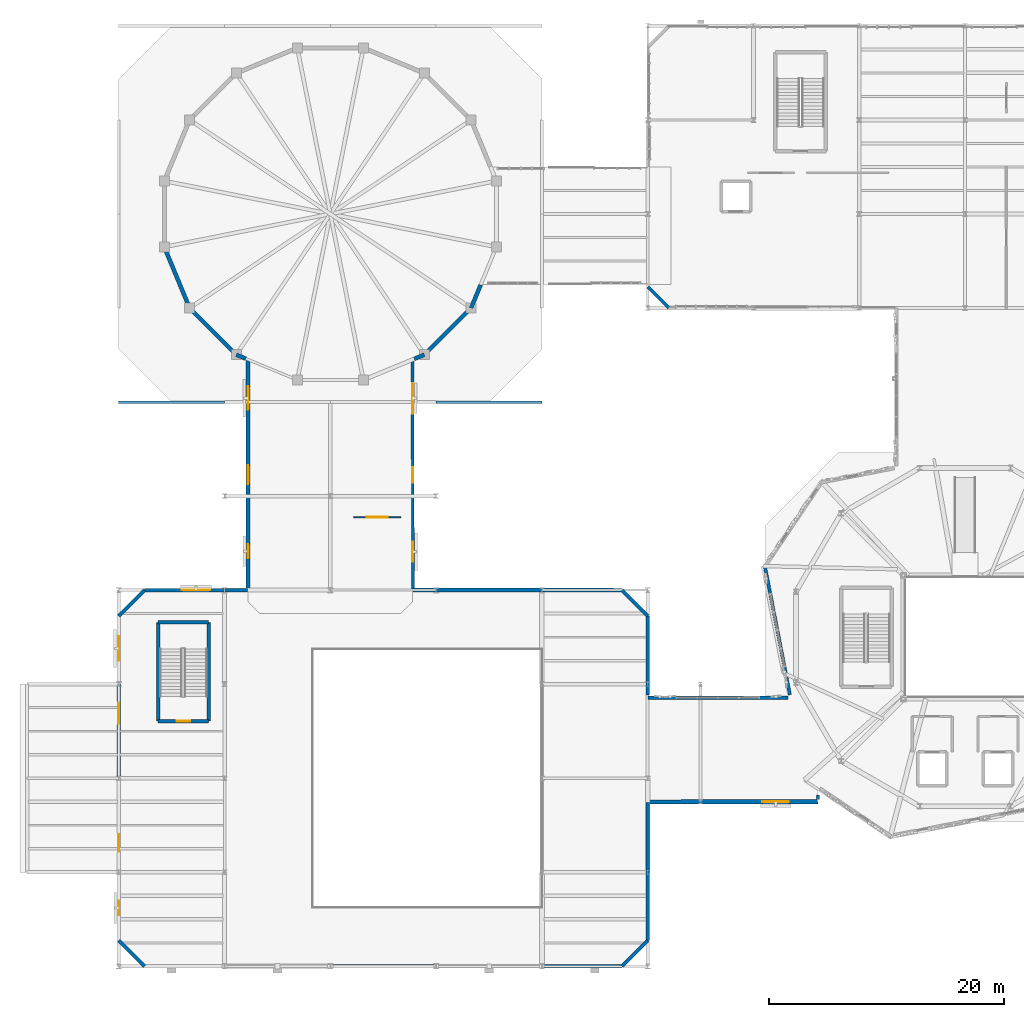
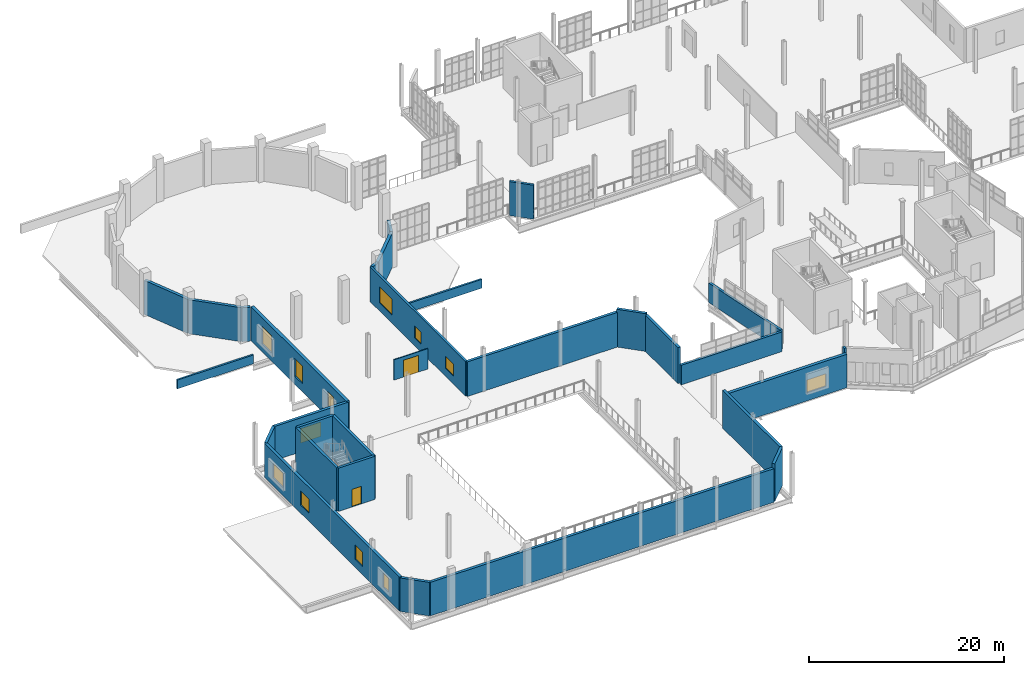
# One storey, part 122 of 142: 30 walls, 12 windows, 2 doors, 14 openings.
"""IFC4 building model written with IfcOpenShell, lengths in metres."""

import ifcopenshell
import ifcopenshell.guid

model = None  # the IFC model being written
_history = None  # IfcOwnerHistory: only IFC2X3 demands one
_inside = {}  # id of a spatial element -> (the spatial element, [elements in it])
_under = {}  # id of a project, library or spatial element -> (it, [spatial elements below it])
_declared = {}  # id of a project -> (the project, [libraries it declares])
_typed = {}  # id of a type object -> (the type object, [elements of that type])
_made_of = {}  # id of a material, layer set ... -> (it, [elements and type objects made of it])


def new_model(schema):
    """Start an empty IFC model of exactly this schema.

    Asked for "IFC4X3", IfcOpenShell would pick the latest addendum, in which some entities
    have other attributes; the version numbers below select the first issue.
    IFC2X3 requires an IfcOwnerHistory on every rooted entity: one is made here for all.
    """
    global model, _history
    if schema == "IFC4X3":
        model = ifcopenshell.file(schema_version=(4, 3, 0, 0))
    else:
        model = ifcopenshell.file(schema=schema)
    _inside.clear()
    _under.clear()
    _declared.clear()
    _typed.clear()
    _made_of.clear()
    _history = None
    if model.schema == "IFC2X3":
        org = make("IfcOrganization", Name="unknown")
        user = make(
            "IfcPersonAndOrganization",
            ThePerson=make("IfcPerson", FamilyName="unknown"),
            TheOrganization=org,
        )
        app = make(
            "IfcApplication",
            ApplicationDeveloper=org,
            Version="unknown",
            ApplicationFullName="unknown",
            ApplicationIdentifier="unknown",
        )
        _history = make(
            "IfcOwnerHistory",
            OwningUser=user,
            OwningApplication=app,
            ChangeAction="ADDED",
            CreationDate=0,
        )
    return model


def make(cls, **values):
    """One entity of the class cls with the attributes given. An attribute that is None is left unset."""
    return model.create_entity(
        cls, **{name: value for name, value in values.items() if value is not None}
    )


def rooted(cls, **values):
    """An entity with a GlobalId (a new one), such as an element, a storey or a relation."""
    return make(cls, GlobalId=ifcopenshell.guid.new(), OwnerHistory=_history, **values)


def si_unit(unit_type, name, prefix=None):
    """IfcSIUnit, for example si_unit("LENGTHUNIT", "METRE", prefix="MILLI")."""
    return make("IfcSIUnit", UnitType=unit_type, Prefix=prefix, Name=name)


def assignment(units):
    """IfcUnitAssignment: the units of a project."""
    return None if units is None else make("IfcUnitAssignment", Units=units)


def point(xyz):
    """IfcCartesianPoint."""
    return None if xyz is None else make("IfcCartesianPoint", Coordinates=xyz)


def direction(xyz):
    """IfcDirection."""
    return None if xyz is None else make("IfcDirection", DirectionRatios=xyz)


def frame(location, z_axis=None, x_axis=None):
    """IfcAxis2Placement3D, a coordinate frame: its origin and axes. An axis left out is left unset."""
    return make(
        "IfcAxis2Placement3D",
        Location=point(location),
        Axis=direction(z_axis),
        RefDirection=direction(x_axis),
    )


def frame_2d(location, x_axis=None):
    """IfcAxis2Placement2D, a coordinate frame in the plane: its origin and x axis."""
    return make(
        "IfcAxis2Placement2D", Location=point(location), RefDirection=direction(x_axis)
    )


def origin():
    """The frame at (0, 0, 0) with its axes left unset."""
    return frame((0.0, 0.0, 0.0))


def place(relative_to, where):
    """IfcLocalPlacement: puts the frame where relative to a parent placement (None: the world)."""
    return make(
        "IfcLocalPlacement", PlacementRelTo=relative_to, RelativePlacement=where
    )


def context(
    kind, dimensions, precision=None, world=None, true_north=None, identifier=None
):
    """IfcGeometricRepresentationContext, for example the 3D "Model" context."""
    return make(
        "IfcGeometricRepresentationContext",
        ContextIdentifier=identifier,
        ContextType=kind,
        CoordinateSpaceDimension=dimensions,
        Precision=precision,
        WorldCoordinateSystem=world,
        TrueNorth=true_north,
    )


def subcontext(parent, identifier, kind, view, scale=None):
    """IfcGeometricRepresentationSubContext, for example "Body" below "Model"."""
    return make(
        "IfcGeometricRepresentationSubContext",
        ContextIdentifier=identifier,
        ContextType=kind,
        ParentContext=parent,
        TargetScale=scale,
        TargetView=view,
    )


def project(units=None, contexts=None):
    """IfcProject with its units and contexts."""
    return rooted(
        "IfcProject",
        Name="project",
        RepresentationContexts=contexts,
        UnitsInContext=assignment(units),
    )


def spatial(cls, under=None, at=None, **own):
    """A site, building, storey or space (cls), placed at a placement, below another one or the project."""
    s = rooted(cls, ObjectPlacement=at, **own)
    if under is not None:
        _under.setdefault(under.id(), (under, []))[1].append(s)
    return s


def profile(cls, at=None, kind="AREA", **sizes):
    """A parametric profile (cls). Its sizes go by their IFC names, for example OverallWidth=200.0."""
    return make(cls, ProfileType=kind, Position=at, **sizes)


def rectangle(**sizes):
    """IfcRectangleProfileDef."""
    return profile("IfcRectangleProfileDef", **sizes)


def extrude(swept, where, along, depth):
    """IfcExtrudedAreaSolid: the profile swept, set in the frame where, extruded along a direction by depth."""
    return make(
        "IfcExtrudedAreaSolid",
        SweptArea=swept,
        Position=where,
        ExtrudedDirection=direction(along),
        Depth=depth,
    )


def shape(context_of_items, identifier, shape_type, items):
    """IfcShapeRepresentation: the items that make up one representation, for example the "Body"."""
    return make(
        "IfcShapeRepresentation",
        ContextOfItems=context_of_items,
        RepresentationIdentifier=identifier,
        RepresentationType=shape_type,
        Items=items,
    )


def material(Name=None, Category=None):
    """IfcMaterial."""
    return make("IfcMaterial", Name=Name, Category=Category)


def layer(
    of_material, thickness, ventilated=None, Name=None, Category=None, Priority=None
):
    """IfcMaterialLayer: one layer of a wall or slab, of a material (None: an air gap)."""
    return make(
        "IfcMaterialLayer",
        Material=of_material,
        LayerThickness=thickness,
        IsVentilated=ventilated,
        Name=Name,
        Category=Category,
        Priority=Priority,
    )


def layer_set(layers, Name=None):
    """IfcMaterialLayerSet."""
    return make("IfcMaterialLayerSet", MaterialLayers=layers, LayerSetName=Name)


def made_of(thing, what):
    """Note that an element or type object is made of a material, layer set ...; save() writes the relation."""
    if what is not None:
        _made_of.setdefault(what.id(), (what, []))[1].append(thing)
    return thing


def type_object(cls, material=None, **own):
    """A type object (cls), such as IfcWallType, which elements share."""
    return made_of(rooted(cls, **own), material)


def element(
    cls,
    number,
    at=None,
    inside=None,
    cuts=None,
    type_object=None,
    material=None,
    context=None,
    identifier="Body",
    shape_type=None,
    held_by="IfcProductDefinitionShape",
    body=None,
    shapes=None,
    **own,
):
    """One element of the class cls, such as IfcWall. Its Tag is "e" and its number.

    at: its placement. inside: the storey or other place that contains it. cuts: it is an
    opening in that element (IfcRelVoidsElement). A single representation is given by context,
    identifier, shape_type and body (its items); several are given by shapes. held_by: the class
    of the entity that holds the representations. save() writes the other relations.
    """
    e = rooted(cls, Tag="e%d" % number, ObjectPlacement=at, **own)
    if body is not None:
        shapes = [shape(context, identifier, shape_type, body)]
    if shapes is not None:
        e.Representation = make(held_by, Representations=shapes)
    if inside is not None:
        _inside.setdefault(inside.id(), (inside, []))[1].append(e)
    if cuts is not None:
        rooted(
            "IfcRelVoidsElement", RelatingBuildingElement=cuts, RelatedOpeningElement=e
        )
    if type_object is not None:
        _typed.setdefault(type_object.id(), (type_object, []))[1].append(e)
    return made_of(e, material)


def fill(opening, filler):
    """IfcRelFillsElement: the door or window that sits in an opening."""
    return rooted(
        "IfcRelFillsElement",
        RelatingOpeningElement=opening,
        RelatedBuildingElement=filler,
    )


def aggregate(whole, parts):
    """IfcRelAggregates: a whole, such as a stair, and the parts it consists of."""
    return rooted("IfcRelAggregates", RelatingObject=whole, RelatedObjects=parts)


def save(model, path):
    """Write the relations noted so far, then the file.

    IfcRelAggregates (storeys below a building ...), IfcRelContainedInSpatialStructure (elements
    in a storey), IfcRelDefinesByType, IfcRelAssociatesMaterial and IfcRelDeclares: one each for
    every whole, place, type object, material and project.
    """
    for whole, parts in _under.values():
        aggregate(whole, parts)
    for where, things in _inside.values():
        rooted(
            "IfcRelContainedInSpatialStructure",
            RelatedElements=things,
            RelatingStructure=where,
        )
    for kind, things in _typed.values():
        rooted("IfcRelDefinesByType", RelatedObjects=things, RelatingType=kind)
    for what, things in _made_of.values():
        rooted("IfcRelAssociatesMaterial", RelatedObjects=things, RelatingMaterial=what)
    for by, libraries in _declared.values():
        rooted("IfcRelDeclares", RelatingContext=by, RelatedDefinitions=libraries)
    model.write(path)


model = new_model("IFC4")

# Units and contexts
model_context = context("Model", 3, precision=1e-05, world=origin(), true_north=direction((0.0, 1.0)))
body_context = subcontext(model_context, "Body", "Model", "MODEL_VIEW")
ifc_project = project(units=[si_unit("LENGTHUNIT", "METRE"), si_unit("AREAUNIT", "SQUARE_METRE"), si_unit("VOLUMEUNIT", "CUBIC_METRE"), si_unit("PLANEANGLEUNIT", "RADIAN"), si_unit("MASSUNIT", "GRAM", prefix="KILO"), si_unit("THERMODYNAMICTEMPERATUREUNIT", "KELVIN"), si_unit("POWERUNIT", "WATT")], contexts=[model_context])

# Site, building, storey
site_placement = place(None, origin())
site = spatial("IfcSite", under=ifc_project, at=site_placement, CompositionType="ELEMENT")
building_placement = place(site_placement, origin())
building = spatial("IfcBuilding", under=site, at=building_placement, Name="Zelmaris Science Centre", CompositionType="ELEMENT")
storey_placement = place(building_placement, frame((0.0, 0.0, 5.39990234375)))
storey = spatial("IfcBuildingStorey", under=building, at=storey_placement, Name="L01", CompositionType="ELEMENT", Elevation=5.39990234375)

# Wall, opening, door
ifc_material_1 = material(Name="Concrete C40/50", Category="concrete")
ifc_layer_1 = layer(ifc_material_1, 0.300048828125, Name="Concrete C40/50")
ifc_layer_set_1 = layer_set([ifc_layer_1], Name="Concrete C40/50")
wall_type_1 = type_object("IfcWallType", Name="Core Shear Wall CW-S1 300mm", PredefinedType="SOLIDWALL", material=ifc_layer_set_1)
wall_1_placement = place(storey_placement, frame((16.64990234375, 28.85009765625, 0.0), z_axis=(0.0, 0.0, 1.0), x_axis=(-1.0, 0.0, 0.0)))
wall_1 = element("IfcWall", 1, at=wall_1_placement, inside=storey, type_object=wall_type_1, Name="L01 ST-6 core shear wall near", PredefinedType="SOLIDWALL", context=body_context, shape_type="SweptSolid", body=[
    extrude(rectangle(XDim=4.2998046875, YDim=0.300048828125, at=frame_2d((2.14990234375, 0.0))), origin(), (0.0, 0.0, 1.0), 5.400146484375),
])
opening_1_placement = place(wall_1_placement, frame((1.574951171875, 0.0, 0.0)))
opening_1 = element("IfcOpeningElement", 2, at=opening_1_placement, cuts=wall_1, Name="Opening D-FD90", PredefinedType="OPENING", context=body_context, shape_type="SweptSolid", body=[
    extrude(rectangle(XDim=1.14990234375, YDim=2.199951171875, at=frame_2d((0.574951171875, 1.10009765625))), frame((0.0, 0.159912109375, 0.0), z_axis=(0.0, -1.0, 0.0), x_axis=(1.0, 0.0, 0.0)), (0.0, 0.0, 1.0), 0.320068359375),
])
ifc_material_2 = material(Name="Steel ASTM A36", Category="steel")
door_type_1 = type_object("IfcDoorType", Name="Interior Door D-FD90 1150x2200", OperationType="NOTDEFINED", PredefinedType="DOOR", material=ifc_material_2)
door_1_placement = place(opening_1_placement, origin())
door_1 = element("IfcDoor", 3, at=door_1_placement, inside=storey, type_object=door_type_1, Name="L01 ST-6 exit stair fire door", OperationType="SINGLE_SWING_RIGHT", OverallHeight=2.199951171875, OverallWidth=1.14990234375, PredefinedType="DOOR", context=body_context, shape_type="SweptSolid", body=[
    extrude(rectangle(XDim=1.14990234375, YDim=2.199951171875, at=frame_2d((0.574951171875, 1.10009765625))), frame((0.0, 0.02490234375, 0.0), z_axis=(0.0, -1.0, 0.0), x_axis=(1.0, 0.0, 0.0)), (0.0, 0.0, 1.0), 0.050048828125),
])
fill(opening_1, door_1)

# Walls
wall_2_placement = place(storey_placement, frame((16.64990234375, 28.85009765625, 0.0), z_axis=(0.0, 0.0, 1.0), x_axis=(0.0, 1.0, 0.0)))
element("IfcWall", 4, at=wall_2_placement, inside=storey, type_object=wall_type_1, Name="L01 ST-6 core shear wall east", PredefinedType="SOLIDWALL", context=body_context, shape_type="SweptSolid", body=[
    extrude(rectangle(XDim=8.39990234375, YDim=0.300048828125, at=frame_2d((4.199951171875, 0.0))), origin(), (0.0, 0.0, 1.0), 5.400146484375),
])
wall_3_placement = place(storey_placement, frame((16.64990234375, 37.25, 0.0), z_axis=(0.0, 0.0, 1.0), x_axis=(-1.0, 0.0, 0.0)))
element("IfcWall", 5, at=wall_3_placement, inside=storey, type_object=wall_type_1, Name="L01 ST-6 core shear wall far", PredefinedType="SOLIDWALL", context=body_context, shape_type="SweptSolid", body=[
    extrude(rectangle(XDim=4.2998046875, YDim=0.300048828125, at=frame_2d((2.14990234375, 0.0))), origin(), (0.0, 0.0, 1.0), 5.400146484375),
])
wall_4_placement = place(storey_placement, frame((12.35009765625, 28.85009765625, 0.0), z_axis=(0.0, 0.0, 1.0), x_axis=(0.0, 1.0, 0.0)))
element("IfcWall", 6, at=wall_4_placement, inside=storey, type_object=wall_type_1, Name="L01 ST-6 core shear wall west", PredefinedType="SOLIDWALL", context=body_context, shape_type="SweptSolid", body=[
    extrude(rectangle(XDim=8.39990234375, YDim=0.300048828125, at=frame_2d((4.199951171875, 0.0))), origin(), (0.0, 0.0, 1.0), 5.400146484375),
])
ifc_material_3 = material(Name="Yucatan limestone ashlar masonry", Category="masonry")
ifc_layer_2 = layer(ifc_material_3, 0.340087890625, Name="Yucatan limestone ashlar masonry")
ifc_layer_set_2 = layer_set([ifc_layer_2], Name="Yucatan limestone ashlar masonry")
wall_type_2 = type_object("IfcWallType", Name="Exterior Wall EW-02 340mm", PredefinedType="SOLIDWALL", material=ifc_layer_set_2)
wall_5_placement = place(storey_placement, frame((19.80126953125, 59.69482421875, 0.0), z_axis=(0.0, 0.0, 1.0), x_axis=(-0.923865913832, 0.382716309111, 0.0)))
element("IfcWall", 7, at=wall_5_placement, inside=storey, type_object=wall_type_2, Name="L01 Exterior wall 32", PredefinedType="SOLIDWALL", context=body_context, shape_type="SweptSolid", body=[
    extrude(rectangle(XDim=0.86767578125, YDim=0.340087890625, at=frame_2d((0.433837890625, 0.0))), origin(), (0.0, 0.0, 1.0), 4.2490234375),
])
wall_6_placement = place(storey_placement, frame((18.999755859375, 60.02685546875, 0.0), z_axis=(0.0, 0.0, 1.0), x_axis=(-0.707041617062, 0.707171939306, 0.0)))
element("IfcWall", 8, at=wall_6_placement, inside=storey, type_object=wall_type_2, Name="L01 Exterior wall 33", PredefinedType="SOLIDWALL", context=body_context, shape_type="SweptSolid", body=[
    extrude(rectangle(XDim=5.6201171875, YDim=0.340087890625, at=frame_2d((2.81005859375, 0.0))), origin(), (0.0, 0.0, 1.0), 4.2490234375),
])
wall_7_placement = place(storey_placement, frame((15.026123046875, 64.001220703125, 0.0), z_axis=(0.0, 0.0, 1.0), x_axis=(-0.382664011358, 0.923887576717, 0.0)))
element("IfcWall", 9, at=wall_7_placement, inside=storey, type_object=wall_type_2, Name="L01 Exterior wall 34", PredefinedType="SOLIDWALL", context=body_context, shape_type="SweptSolid", body=[
    extrude(rectangle(XDim=5.616943359375, YDim=0.340087890625, at=frame_2d((2.80859375, 0.0))), origin(), (0.0, 0.0, 1.0), 4.2490234375),
])
wall_8_placement = place(storey_placement, frame((35.000244140625, 60.02685546875, 0.0), z_axis=(0.0, 0.0, 1.0), x_axis=(-0.923881361379, -0.382679017059, 0.0)))
element("IfcWall", 10, at=wall_8_placement, inside=storey, type_object=wall_type_2, Name="L01 Exterior wall 63", PredefinedType="SOLIDWALL", context=body_context, shape_type="SweptSolid", body=[
    extrude(rectangle(XDim=0.922607421875, YDim=0.340087890625, at=frame_2d((0.46142578125, 0.0))), origin(), (0.0, 0.0, 1.0), 4.2490234375),
])
wall_9_placement = place(storey_placement, frame((39.786376953125, 65.962890625, 0.0), z_axis=(0.0, 0.0, 1.0), x_axis=(-0.382713710353, -0.923866990377, 0.0)))
element("IfcWall", 11, at=wall_9_placement, inside=storey, type_object=wall_type_2, Name="L01 Exterior wall 74", PredefinedType="SOLIDWALL", context=body_context, shape_type="SweptSolid", body=[
    extrude(rectangle(XDim=2.125, YDim=0.340087890625, at=frame_2d((1.0625, 0.0))), origin(), (0.0, 0.0, 1.0), 4.2490234375),
])
wall_10_placement = place(storey_placement, frame((38.97314453125, 63.999755859375, 0.0), z_axis=(0.0, 0.0, 1.0), x_axis=(-0.707106781187, -0.707106781187, 0.0)))
element("IfcWall", 12, at=wall_10_placement, inside=storey, type_object=wall_type_2, Name="L01 Exterior wall 75", PredefinedType="SOLIDWALL", context=body_context, shape_type="SweptSolid", body=[
    extrude(rectangle(XDim=5.618408203125, YDim=0.340087890625, at=frame_2d((2.80908203125, 0.0))), origin(), (0.0, 0.0, 1.0), 4.2490234375),
])

# Wall, openings, windows
ifc_material_4 = material(Name="Precast concrete C40/50", Category="concrete")
ifc_layer_3 = layer(ifc_material_4, 0.320068359375, Name="Precast concrete C40/50")
ifc_layer_set_3 = layer_set([ifc_layer_3], Name="Precast concrete C40/50")
wall_type_3 = type_object("IfcWallType", Name="Exterior Wall EW-03 320mm", PredefinedType="SOLIDWALL", material=ifc_layer_set_3)
wall_11_placement = place(storey_placement, frame((9.0, 10.199951171875, 0.0), z_axis=(0.0, 0.0, 1.0), x_axis=(0.0, 1.0, 0.0)))
wall_11 = element("IfcWall", 13, at=wall_11_placement, inside=storey, type_object=wall_type_3, Name="L01 Exterior wall 28", PredefinedType="SOLIDWALL", context=body_context, shape_type="SweptSolid", body=[
    extrude(rectangle(XDim=27.60009765625, YDim=0.320068359375, at=frame_2d((13.800048828125, 0.0))), origin(), (0.0, 0.0, 1.0), 4.24609375),
])
opening_2_placement = place(wall_11_placement, frame((2.159912109375, 0.0, 1.0)))
opening_2 = element("IfcOpeningElement", 14, at=opening_2_placement, cuts=wall_11, Name="Opening W-01", PredefinedType="OPENING", context=body_context, shape_type="SweptSolid", body=[
    extrude(rectangle(XDim=1.199951171875, YDim=1.800048828125, at=frame_2d((0.60009765625, 0.89990234375))), frame((0.0, 0.169921875, 0.0), z_axis=(0.0, -1.0, 0.0), x_axis=(1.0, 0.0, 0.0)), (0.0, 0.0, 1.0), 0.340087890625),
])
opening_3_placement = place(wall_11_placement, frame((7.530029296875, 0.0, 1.0)))
opening_3 = element("IfcOpeningElement", 15, at=opening_3_placement, cuts=wall_11, Name="Opening W-02", PredefinedType="OPENING", context=body_context, shape_type="SweptSolid", body=[
    extrude(rectangle(XDim=1.5, YDim=1.800048828125, at=frame_2d((0.75, 0.89990234375))), frame((0.0, 0.169921875, 0.0), z_axis=(0.0, -1.0, 0.0), x_axis=(1.0, 0.0, 0.0)), (0.0, 0.0, 1.0), 0.340087890625),
])
opening_4_placement = place(wall_11_placement, frame((18.419921875, 0.0, 1.0)))
opening_4 = element("IfcOpeningElement", 16, at=opening_4_placement, cuts=wall_11, Name="Opening W-03", PredefinedType="OPENING", context=body_context, shape_type="SweptSolid", body=[
    extrude(rectangle(XDim=1.800048828125, YDim=1.800048828125, at=frame_2d((0.89990234375, 0.89990234375))), frame((0.0, 0.169921875, 0.0), z_axis=(0.0, -1.0, 0.0), x_axis=(1.0, 0.0, 0.0)), (0.0, 0.0, 1.0), 0.340087890625),
])
opening_5_placement = place(wall_11_placement, frame((23.789794921875, 0.0, 1.0)))
opening_5 = element("IfcOpeningElement", 17, at=opening_5_placement, cuts=wall_11, Name="Opening W-04", PredefinedType="OPENING", context=body_context, shape_type="SweptSolid", body=[
    extrude(rectangle(XDim=2.10009765625, YDim=1.800048828125, at=frame_2d((1.050048828125, 0.89990234375))), frame((0.0, 0.169921875, 0.0), z_axis=(0.0, -1.0, 0.0), x_axis=(1.0, 0.0, 0.0)), (0.0, 0.0, 1.0), 0.340087890625),
])
ifc_material_5 = material(Name="Laminated hurricane-rated low-E insulated glazing", Category="glass")
window_type_1 = type_object("IfcWindowType", Name="Window W-01 1200x1800", PartitioningType="SINGLE_PANEL", PredefinedType="WINDOW", material=ifc_material_5)
window_1_placement = place(opening_2_placement, origin())
window_1 = element("IfcWindow", 18, at=window_1_placement, inside=storey, type_object=window_type_1, Name="L01 Facade window 1", OverallHeight=1.800048828125, OverallWidth=1.199951171875, PartitioningType="SINGLE_PANEL", PredefinedType="WINDOW", context=body_context, shape_type="SweptSolid", body=[
    extrude(rectangle(XDim=1.199951171875, YDim=1.800048828125, at=frame_2d((0.60009765625, 0.89990234375))), frame((0.0, 0.030029296875, 0.0), z_axis=(0.0, -1.0, 0.0), x_axis=(1.0, 0.0, 0.0)), (0.0, 0.0, 1.0), 0.06005859375),
])
fill(opening_2, window_1)
window_type_2 = type_object("IfcWindowType", Name="Window W-02 1500x1800", PartitioningType="SINGLE_PANEL", PredefinedType="WINDOW", material=ifc_material_5)
window_2_placement = place(opening_3_placement, origin())
window_2 = element("IfcWindow", 19, at=window_2_placement, inside=storey, type_object=window_type_2, Name="L01 Facade window 2", OverallHeight=1.800048828125, OverallWidth=1.5, PartitioningType="SINGLE_PANEL", PredefinedType="WINDOW", context=body_context, shape_type="SweptSolid", body=[
    extrude(rectangle(XDim=1.5, YDim=1.800048828125, at=frame_2d((0.75, 0.89990234375))), frame((0.0, 0.030029296875, 0.0), z_axis=(0.0, -1.0, 0.0), x_axis=(1.0, 0.0, 0.0)), (0.0, 0.0, 1.0), 0.06005859375),
])
fill(opening_3, window_2)
window_type_3 = type_object("IfcWindowType", Name="Window W-03 1800x1800", PartitioningType="SINGLE_PANEL", PredefinedType="WINDOW", material=ifc_material_5)
window_3_placement = place(opening_4_placement, origin())
window_3 = element("IfcWindow", 20, at=window_3_placement, inside=storey, type_object=window_type_3, Name="L01 Facade window 3", OverallHeight=1.800048828125, OverallWidth=1.800048828125, PartitioningType="SINGLE_PANEL", PredefinedType="WINDOW", context=body_context, shape_type="SweptSolid", body=[
    extrude(rectangle(XDim=1.800048828125, YDim=1.800048828125, at=frame_2d((0.89990234375, 0.89990234375))), frame((0.0, 0.030029296875, 0.0), z_axis=(0.0, -1.0, 0.0), x_axis=(1.0, 0.0, 0.0)), (0.0, 0.0, 1.0), 0.06005859375),
])
fill(opening_4, window_3)
window_type_4 = type_object("IfcWindowType", Name="Window W-04 2100x1800", PartitioningType="SINGLE_PANEL", PredefinedType="WINDOW", material=ifc_material_5)
window_4_placement = place(opening_5_placement, origin())
window_4 = element("IfcWindow", 21, at=window_4_placement, inside=storey, type_object=window_type_4, Name="L01 Facade window 4", OverallHeight=1.800048828125, OverallWidth=2.10009765625, PartitioningType="SINGLE_PANEL", PredefinedType="WINDOW", context=body_context, shape_type="SweptSolid", body=[
    extrude(rectangle(XDim=2.10009765625, YDim=1.800048828125, at=frame_2d((1.050048828125, 0.89990234375))), frame((0.0, 0.030029296875, 0.0), z_axis=(0.0, -1.0, 0.0), x_axis=(1.0, 0.0, 0.0)), (0.0, 0.0, 1.0), 0.06005859375),
])
fill(opening_5, window_4)

# Wall
wall_12_placement = place(storey_placement, frame((9.0, 37.800048828125, 0.0), z_axis=(0.0, 0.0, 1.0), x_axis=(0.707106781187, 0.707106781187, 0.0)))
element("IfcWall", 22, at=wall_12_placement, inside=storey, type_object=wall_type_3, Name="L01 Exterior wall 29", PredefinedType="SOLIDWALL", context=body_context, shape_type="SweptSolid", body=[
    extrude(rectangle(XDim=3.111083984375, YDim=0.320068359375, at=frame_2d((1.5556640625, 0.0))), origin(), (0.0, 0.0, 1.0), 4.254150390625),
])

# Wall, opening, window
wall_13_placement = place(storey_placement, frame((11.199951171875, 40.0, 0.0), z_axis=(0.0, 0.0, 1.0), x_axis=(1.0, 0.0, 0.0)))
wall_13 = element("IfcWall", 23, at=wall_13_placement, inside=storey, type_object=wall_type_3, Name="L01 Exterior wall 30", PredefinedType="SOLIDWALL", context=body_context, shape_type="SweptSolid", body=[
    extrude(rectangle(XDim=8.739990234375, YDim=0.320068359375, at=frame_2d((4.3701171875, 0.0))), origin(), (0.0, 0.0, 1.0), 4.254150390625),
])
opening_6_placement = place(wall_13_placement, frame((3.169921875, 0.0, 1.0)))
opening_6 = element("IfcOpeningElement", 24, at=opening_6_placement, cuts=wall_13, Name="Opening W-05", PredefinedType="OPENING", context=body_context, shape_type="SweptSolid", body=[
    extrude(rectangle(XDim=2.39990234375, YDim=1.800048828125, at=frame_2d((1.199951171875, 0.89990234375))), frame((0.0, 0.169921875, 0.0), z_axis=(0.0, -1.0, 0.0), x_axis=(1.0, 0.0, 0.0)), (0.0, 0.0, 1.0), 0.340087890625),
])
window_type_5 = type_object("IfcWindowType", Name="Window W-05 2400x1800", PartitioningType="SINGLE_PANEL", PredefinedType="WINDOW", material=ifc_material_5)
window_5_placement = place(opening_6_placement, origin())
window_5 = element("IfcWindow", 25, at=window_5_placement, inside=storey, type_object=window_type_5, Name="L01 Facade window 5", OverallHeight=1.800048828125, OverallWidth=2.39990234375, PartitioningType="SINGLE_PANEL", PredefinedType="WINDOW", context=body_context, shape_type="SweptSolid", body=[
    extrude(rectangle(XDim=2.39990234375, YDim=1.800048828125, at=frame_2d((1.199951171875, 0.89990234375))), frame((0.0, 0.030029296875, 0.0), z_axis=(0.0, -1.0, 0.0), x_axis=(1.0, 0.0, 0.0)), (0.0, 0.0, 1.0), 0.06005859375),
])
fill(opening_6, window_5)

# Walls
wall_14_placement = place(storey_placement, frame((54.0, 21.93994140625, 0.0), z_axis=(0.0, 0.0, 1.0), x_axis=(0.0, -1.0, 0.0)))
element("IfcWall", 26, at=wall_14_placement, inside=storey, type_object=wall_type_3, Name="L01 Exterior wall 52", PredefinedType="SOLIDWALL", context=body_context, shape_type="SweptSolid", body=[
    extrude(rectangle(XDim=11.739990234375, YDim=0.320068359375, at=frame_2d((5.8701171875, 0.0))), origin(), (0.0, 0.0, 1.0), 4.72021484375),
])
wall_15_placement = place(storey_placement, frame((54.0, 10.199951171875, 0.0), z_axis=(0.0, 0.0, 1.0), x_axis=(-0.707106781187, -0.707106781187, 0.0)))
element("IfcWall", 27, at=wall_15_placement, inside=storey, type_object=wall_type_3, Name="L01 Exterior wall 53", PredefinedType="SOLIDWALL", context=body_context, shape_type="SweptSolid", body=[
    extrude(rectangle(XDim=3.111083984375, YDim=0.320068359375, at=frame_2d((1.5556640625, 0.0))), origin(), (0.0, 0.0, 1.0), 4.72021484375),
])
wall_16_placement = place(storey_placement, frame((51.800048828125, 8.0, 0.0), z_axis=(0.0, 0.0, 1.0), x_axis=(-1.0, 0.0, 0.0)))
element("IfcWall", 28, at=wall_16_placement, inside=storey, type_object=wall_type_3, Name="L01 Exterior wall 54", PredefinedType="SOLIDWALL", context=body_context, shape_type="SweptSolid", body=[
    extrude(rectangle(XDim=40.60009765625, YDim=0.320068359375, at=frame_2d((20.300048828125, 0.0))), origin(), (0.0, 0.0, 1.0), 4.193115234375),
])
wall_17_placement = place(storey_placement, frame((11.199951171875, 8.0, 0.0), z_axis=(0.0, 0.0, 1.0), x_axis=(-0.707106781187, 0.707106781187, 0.0)))
element("IfcWall", 29, at=wall_17_placement, inside=storey, type_object=wall_type_3, Name="L01 Exterior wall 55", PredefinedType="SOLIDWALL", context=body_context, shape_type="SweptSolid", body=[
    extrude(rectangle(XDim=3.111083984375, YDim=0.320068359375, at=frame_2d((1.5556640625, 0.0))), origin(), (0.0, 0.0, 1.0), 4.193115234375),
])
wall_18_placement = place(storey_placement, frame((34.017578125, 40.017578125, 0.0), z_axis=(0.0, 0.0, 1.0), x_axis=(0.999999511426, -0.000988508105, 0.0)))
element("IfcWall", 30, at=wall_18_placement, inside=storey, type_object=wall_type_3, Name="L01 Exterior wall 65", PredefinedType="SOLIDWALL", context=body_context, shape_type="SweptSolid", body=[
    extrude(rectangle(XDim=17.782470703125, YDim=0.320068359375, at=frame_2d((8.89111328125, 0.0))), origin(), (0.0, 0.0, 1.0), 4.335205078125),
])
wall_19_placement = place(storey_placement, frame((51.800048828125, 40.0, 0.0), z_axis=(0.0, 0.0, 1.0), x_axis=(0.707106781187, -0.707106781187, 0.0)))
element("IfcWall", 31, at=wall_19_placement, inside=storey, type_object=wall_type_3, Name="L01 Exterior wall 66", PredefinedType="SOLIDWALL", context=body_context, shape_type="SweptSolid", body=[
    extrude(rectangle(XDim=3.111083984375, YDim=0.320068359375, at=frame_2d((1.5556640625, 0.0))), origin(), (0.0, 0.0, 1.0), 4.72021484375),
])
wall_20_placement = place(storey_placement, frame((54.0, 37.800048828125, 0.0), z_axis=(0.0, 0.0, 1.0), x_axis=(0.0, -1.0, 0.0)))
element("IfcWall", 32, at=wall_20_placement, inside=storey, type_object=wall_type_3, Name="L01 Exterior wall 67", PredefinedType="SOLIDWALL", context=body_context, shape_type="SweptSolid", body=[
    extrude(rectangle(XDim=6.739990234375, YDim=0.320068359375, at=frame_2d((3.3701171875, 0.0))), origin(), (0.0, 0.0, 1.0), 4.506103515625),
])
ifc_layer_4 = layer(ifc_material_4, 0.280029296875, Name="Precast concrete C40/50")
ifc_layer_set_4 = layer_set([ifc_layer_4], Name="Precast concrete C40/50")
wall_type_4 = type_object("IfcWallType", Name="Exterior Wall EW-05 280mm", PredefinedType="SOLIDWALL", material=ifc_layer_set_4)
wall_21_placement = place(storey_placement, frame((54.02685546875, 30.85009765625, 0.0), z_axis=(0.0, 0.0, 1.0), x_axis=(0.99999981027, 0.000616003661, 0.0)))
element("IfcWall", 33, at=wall_21_placement, inside=storey, type_object=wall_type_4, Name="L01 Exterior wall 68", PredefinedType="SOLIDWALL", context=body_context, shape_type="SweptSolid", body=[
    extrude(rectangle(XDim=11.889892578125, YDim=0.280029296875, at=frame_2d((5.94482421875, 0.0))), origin(), (0.0, 0.0, 1.0), 2.4501953125),
])
wall_22_placement = place(storey_placement, frame((66.090087890625, 31.10205078125, 0.0), z_axis=(0.0, 0.0, 1.0), x_axis=(-0.19080127766, 0.981628683588, 0.0)))
element("IfcWall", 34, at=wall_22_placement, inside=storey, type_object=wall_type_4, Name="L01 Exterior wall 69", PredefinedType="SOLIDWALL", context=body_context, shape_type="SweptSolid", body=[
    extrude(rectangle(XDim=11.1806640625, YDim=0.280029296875, at=frame_2d((5.59033203125, 0.0))), origin(), (0.0, 0.0, 1.0), 2.4501953125),
])
ifc_layer_5 = layer(ifc_material_4, 0.260009765625, Name="Precast concrete C40/50")
ifc_layer_set_5 = layer_set([ifc_layer_5], Name="Precast concrete C40/50")
wall_type_5 = type_object("IfcWallType", Name="Exterior Wall EW-06 260mm", PredefinedType="SOLIDWALL", material=ifc_layer_set_5)
wall_23_placement = place(storey_placement, frame((68.5, 22.56787109375, 0.0), z_axis=(0.0, 0.0, 1.0), x_axis=(0.0, -1.0, 0.0)))
element("IfcWall", 35, at=wall_23_placement, inside=storey, type_object=wall_type_5, Name="L01 Exterior wall 50", PredefinedType="SOLIDWALL", context=body_context, shape_type="SweptSolid", body=[
    extrude(rectangle(XDim=0.392822265625, YDim=0.260009765625, at=frame_2d((0.1962890625, 0.0))), origin(), (0.0, 0.0, 1.0), 4.72021484375),
])

# Wall, openings, windows
ifc_layer_6 = layer(ifc_material_3, 0.360107421875, Name="Yucatan limestone ashlar masonry")
ifc_layer_set_6 = layer_set([ifc_layer_6], Name="Yucatan limestone ashlar masonry")
wall_type_6 = type_object("IfcWallType", Name="Exterior Wall EW-08 360mm", PredefinedType="SOLIDWALL", material=ifc_layer_set_6)
wall_24_placement = place(storey_placement, frame((19.999755859375, 40.05419921875, 0.0), z_axis=(0.0, 0.0, 1.0), x_axis=(-5.000375e-05, 0.99999999875, 0.0)))
wall_24 = element("IfcWall", 36, at=wall_24_placement, inside=storey, type_object=wall_type_6, Name="L01 Exterior wall 31", PredefinedType="SOLIDWALL", context=body_context, shape_type="SweptSolid", body=[
    extrude(rectangle(XDim=19.52978515625, YDim=0.360107421875, at=frame_2d((9.764892578125, 0.0))), origin(), (0.0, 0.0, 1.0), 4.26416015625),
])
opening_7_placement = place(wall_24_placement, frame((2.655029296875, 0.0, 1.0)))
opening_7 = element("IfcOpeningElement", 37, at=opening_7_placement, cuts=wall_24, Name="Opening W-06", PredefinedType="OPENING", context=body_context, shape_type="SweptSolid", body=[
    extrude(rectangle(XDim=1.199951171875, YDim=2.199951171875, at=frame_2d((0.60009765625, 1.10009765625))), frame((0.0, 0.18994140625, 0.0), z_axis=(0.0, -1.0, 0.0), x_axis=(1.0, 0.0, 0.0)), (0.0, 0.0, 1.0), 0.380126953125),
])
opening_8_placement = place(wall_24_placement, frame((8.965087890625, 0.0, 1.0)))
opening_8 = element("IfcOpeningElement", 38, at=opening_8_placement, cuts=wall_24, Name="Opening W-07", PredefinedType="OPENING", context=body_context, shape_type="SweptSolid", body=[
    extrude(rectangle(XDim=1.60009765625, YDim=2.199951171875, at=frame_2d((0.800048828125, 1.10009765625))), frame((0.0, 0.18994140625, 0.0), z_axis=(0.0, -1.0, 0.0), x_axis=(1.0, 0.0, 0.0)), (0.0, 0.0, 1.0), 0.380126953125),
])
opening_9_placement = place(wall_24_placement, frame((15.27490234375, 0.0, 1.0)))
opening_9 = element("IfcOpeningElement", 39, at=opening_9_placement, cuts=wall_24, Name="Opening W-08", PredefinedType="OPENING", context=body_context, shape_type="SweptSolid", body=[
    extrude(rectangle(XDim=2.0, YDim=2.199951171875, at=frame_2d((1.0, 1.10009765625))), frame((0.0, 0.18994140625, 0.0), z_axis=(0.0, -1.0, 0.0), x_axis=(1.0, 0.0, 0.0)), (0.0, 0.0, 1.0), 0.380126953125),
])
window_type_6 = type_object("IfcWindowType", Name="Window W-06 1200x2200", PartitioningType="SINGLE_PANEL", PredefinedType="WINDOW", material=ifc_material_5)
window_6_placement = place(opening_7_placement, origin())
window_6 = element("IfcWindow", 40, at=window_6_placement, inside=storey, type_object=window_type_6, Name="L01 Facade window 6", OverallHeight=2.199951171875, OverallWidth=1.199951171875, PartitioningType="SINGLE_PANEL", PredefinedType="WINDOW", context=body_context, shape_type="SweptSolid", body=[
    extrude(rectangle(XDim=1.199951171875, YDim=2.199951171875, at=frame_2d((0.60009765625, 1.10009765625))), frame((0.0, 0.030029296875, 0.0), z_axis=(0.0, -1.0, 0.0), x_axis=(1.0, 0.0, 0.0)), (0.0, 0.0, 1.0), 0.06005859375),
])
fill(opening_7, window_6)
window_type_7 = type_object("IfcWindowType", Name="Window W-07 1600x2200", PartitioningType="SINGLE_PANEL", PredefinedType="WINDOW", material=ifc_material_5)
window_7_placement = place(opening_8_placement, origin())
window_7 = element("IfcWindow", 41, at=window_7_placement, inside=storey, type_object=window_type_7, Name="L01 Facade window 7", OverallHeight=2.199951171875, OverallWidth=1.60009765625, PartitioningType="SINGLE_PANEL", PredefinedType="WINDOW", context=body_context, shape_type="SweptSolid", body=[
    extrude(rectangle(XDim=1.60009765625, YDim=2.199951171875, at=frame_2d((0.800048828125, 1.10009765625))), frame((0.0, 0.030029296875, 0.0), z_axis=(0.0, -1.0, 0.0), x_axis=(1.0, 0.0, 0.0)), (0.0, 0.0, 1.0), 0.06005859375),
])
fill(opening_8, window_7)
window_type_8 = type_object("IfcWindowType", Name="Window W-08 2000x2200", PartitioningType="SINGLE_PANEL", PredefinedType="WINDOW", material=ifc_material_5)
window_8_placement = place(opening_9_placement, origin())
window_8 = element("IfcWindow", 42, at=window_8_placement, inside=storey, type_object=window_type_8, Name="L01 Facade window 8", OverallHeight=2.199951171875, OverallWidth=2.0, PartitioningType="SINGLE_PANEL", PredefinedType="WINDOW", context=body_context, shape_type="SweptSolid", body=[
    extrude(rectangle(XDim=2.0, YDim=2.199951171875, at=frame_2d((1.0, 1.10009765625))), frame((0.0, 0.030029296875, 0.0), z_axis=(0.0, -1.0, 0.0), x_axis=(1.0, 0.0, 0.0)), (0.0, 0.0, 1.0), 0.06005859375),
])
fill(opening_9, window_8)

# Wall, opening, window
wall_25_placement = place(storey_placement, frame((68.5, 22.0, 0.0), z_axis=(0.0, 0.0, 1.0), x_axis=(-0.999999554131, -0.000944318489, 0.0)))
wall_25 = element("IfcWall", 43, at=wall_25_placement, inside=storey, type_object=wall_type_6, Name="L01 Exterior wall 51", PredefinedType="SOLIDWALL", context=body_context, shape_type="SweptSolid", body=[
    extrude(rectangle(XDim=14.47802734375, YDim=0.360107421875, at=frame_2d((7.239013671875, 0.0))), origin(), (0.0, 0.0, 1.0), 4.177978515625),
])
opening_10_placement = place(wall_25_placement, frame((2.494384765625, 0.0, 1.0)))
opening_10 = element("IfcOpeningElement", 44, at=opening_10_placement, cuts=wall_25, Name="Opening W-17", PredefinedType="OPENING", context=body_context, shape_type="SweptSolid", body=[
    extrude(rectangle(XDim=2.25, YDim=1.60009765625, at=frame_2d((1.125, 0.800048828125))), frame((0.0, 0.18994140625, 0.0), z_axis=(0.0, -1.0, 0.0), x_axis=(1.0, 0.0, 0.0)), (0.0, 0.0, 1.0), 0.380126953125),
])
window_type_9 = type_object("IfcWindowType", Name="Window W-17 2250x1600", PartitioningType="SINGLE_PANEL", PredefinedType="WINDOW", material=ifc_material_5)
window_9_placement = place(opening_10_placement, origin())
window_9 = element("IfcWindow", 45, at=window_9_placement, inside=storey, type_object=window_type_9, Name="L01 Facade window 17", OverallHeight=1.60009765625, OverallWidth=2.25, PartitioningType="SINGLE_PANEL", PredefinedType="WINDOW", context=body_context, shape_type="SweptSolid", body=[
    extrude(rectangle(XDim=2.25, YDim=1.60009765625, at=frame_2d((1.125, 0.800048828125))), frame((0.0, 0.030029296875, 0.0), z_axis=(0.0, -1.0, 0.0), x_axis=(1.0, 0.0, 0.0)), (0.0, 0.0, 1.0), 0.06005859375),
])
fill(opening_10, window_9)

# Wall
ifc_layer_7 = layer(ifc_material_4, 0.27001953125, Name="Precast concrete C40/50")
ifc_layer_set_7 = layer_set([ifc_layer_7], Name="Precast concrete C40/50")
wall_type_7 = type_object("IfcWallType", Name="Exterior Wall EW-10 270mm", PredefinedType="SOLIDWALL", material=ifc_layer_set_7)
wall_26_placement = place(storey_placement, frame((55.800048828125, 64.0, 0.0), z_axis=(0.0, 0.0, 1.0), x_axis=(-0.707106781187, 0.707106781187, 0.0)))
element("IfcWall", 46, at=wall_26_placement, inside=storey, type_object=wall_type_7, Name="L01 Exterior wall 73", PredefinedType="SOLIDWALL", context=body_context, shape_type="SweptSolid", body=[
    extrude(rectangle(XDim=2.544189453125, YDim=0.27001953125, at=frame_2d((1.27197265625, 0.0))), origin(), (0.0, 0.0, 1.0), 4.244140625),
])

# Wall, openings, windows
ifc_layer_8 = layer(ifc_material_4, 0.25, Name="Precast concrete C40/50")
ifc_layer_set_8 = layer_set([ifc_layer_8], Name="Precast concrete C40/50")
wall_type_8 = type_object("IfcWallType", Name="Exterior Wall EW-11 250mm", PredefinedType="SOLIDWALL", material=ifc_layer_set_8)
wall_27_placement = place(storey_placement, frame((34.0, 59.572509765625, 0.0), z_axis=(0.0, 0.0, 1.0), x_axis=(0.000898909708, -0.999999595981, 0.0)))
wall_27 = element("IfcWall", 47, at=wall_27_placement, inside=storey, type_object=wall_type_8, Name="L01 Exterior wall 64", PredefinedType="SOLIDWALL", context=body_context, shape_type="SweptSolid", body=[
    extrude(rectangle(XDim=19.554931640625, YDim=0.25, at=frame_2d((9.77734375, 0.0))), origin(), (0.0, 0.0, 1.0), 4.335205078125),
])
opening_11_placement = place(wall_27_placement, frame((1.958984375, 0.0, 1.0)))
opening_11 = element("IfcOpeningElement", 48, at=opening_11_placement, cuts=wall_27, Name="Opening W-22", PredefinedType="OPENING", context=body_context, shape_type="SweptSolid", body=[
    extrude(rectangle(XDim=2.60009765625, YDim=2.0, at=frame_2d((1.300048828125, 1.0))), frame((0.0, 0.135009765625, 0.0), z_axis=(0.0, -1.0, 0.0), x_axis=(1.0, 0.0, 0.0)), (0.0, 0.0, 1.0), 0.27001953125),
])
opening_12_placement = place(wall_27_placement, frame((9.12744140625, 0.0, 1.0)))
opening_12 = element("IfcOpeningElement", 49, at=opening_12_placement, cuts=wall_27, Name="Opening W-23", PredefinedType="OPENING", context=body_context, shape_type="SweptSolid", body=[
    extrude(rectangle(XDim=1.300048828125, YDim=1.5, at=frame_2d((0.64990234375, 0.75))), frame((0.0, 0.135009765625, 0.0), z_axis=(0.0, -1.0, 0.0), x_axis=(1.0, 0.0, 0.0)), (0.0, 0.0, 1.0), 0.27001953125),
])
opening_13_placement = place(wall_27_placement, frame((15.44580078125, 0.0, 1.0)))
opening_13 = element("IfcOpeningElement", 50, at=opening_13_placement, cuts=wall_27, Name="Opening W-24", PredefinedType="OPENING", context=body_context, shape_type="SweptSolid", body=[
    extrude(rectangle(XDim=1.699951171875, YDim=1.5, at=frame_2d((0.85009765625, 0.75))), frame((0.0, 0.135009765625, 0.0), z_axis=(0.0, -1.0, 0.0), x_axis=(1.0, 0.0, 0.0)), (0.0, 0.0, 1.0), 0.27001953125),
])
window_type_10 = type_object("IfcWindowType", Name="Window W-22 2600x2000", PartitioningType="SINGLE_PANEL", PredefinedType="WINDOW", material=ifc_material_5)
window_10_placement = place(opening_11_placement, origin())
window_10 = element("IfcWindow", 51, at=window_10_placement, inside=storey, type_object=window_type_10, Name="L01 Facade window 22", OverallHeight=2.0, OverallWidth=2.60009765625, PartitioningType="SINGLE_PANEL", PredefinedType="WINDOW", context=body_context, shape_type="SweptSolid", body=[
    extrude(rectangle(XDim=2.60009765625, YDim=2.0, at=frame_2d((1.300048828125, 1.0))), frame((0.0, 0.030029296875, 0.0), z_axis=(0.0, -1.0, 0.0), x_axis=(1.0, 0.0, 0.0)), (0.0, 0.0, 1.0), 0.06005859375),
])
fill(opening_11, window_10)
window_type_11 = type_object("IfcWindowType", Name="Window W-23 1300x1500", PartitioningType="SINGLE_PANEL", PredefinedType="WINDOW", material=ifc_material_5)
window_11_placement = place(opening_12_placement, origin())
window_11 = element("IfcWindow", 52, at=window_11_placement, inside=storey, type_object=window_type_11, Name="L01 Facade window 23", OverallHeight=1.5, OverallWidth=1.300048828125, PartitioningType="SINGLE_PANEL", PredefinedType="WINDOW", context=body_context, shape_type="SweptSolid", body=[
    extrude(rectangle(XDim=1.300048828125, YDim=1.5, at=frame_2d((0.64990234375, 0.75))), frame((0.0, 0.030029296875, 0.0), z_axis=(0.0, -1.0, 0.0), x_axis=(1.0, 0.0, 0.0)), (0.0, 0.0, 1.0), 0.06005859375),
])
fill(opening_12, window_11)
window_type_12 = type_object("IfcWindowType", Name="Window W-24 1700x1500", PartitioningType="SINGLE_PANEL", PredefinedType="WINDOW", material=ifc_material_5)
window_12_placement = place(opening_13_placement, origin())
window_12 = element("IfcWindow", 53, at=window_12_placement, inside=storey, type_object=window_type_12, Name="L01 Facade window 24", OverallHeight=1.5, OverallWidth=1.699951171875, PartitioningType="SINGLE_PANEL", PredefinedType="WINDOW", context=body_context, shape_type="SweptSolid", body=[
    extrude(rectangle(XDim=1.699951171875, YDim=1.5, at=frame_2d((0.85009765625, 0.75))), frame((0.0, 0.030029296875, 0.0), z_axis=(0.0, -1.0, 0.0), x_axis=(1.0, 0.0, 0.0)), (0.0, 0.0, 1.0), 0.06005859375),
])
fill(opening_13, window_12)

# Wall, opening, door
ifc_material_6 = material(Name="Fire-rated gypsum board on steel studs", Category="steel")
ifc_layer_9 = layer(ifc_material_6, 0.110107421875, Name="Fire-rated gypsum board on steel studs")
ifc_layer_set_9 = layer_set([ifc_layer_9], Name="Fire-rated gypsum board on steel studs")
wall_type_9 = type_object("IfcWallType", Name="Interior Wall PT-03 110mm", PredefinedType="PARTITIONING", material=ifc_layer_set_9)
wall_28_placement = place(storey_placement, frame((29.0, 46.199951171875, 0.0), z_axis=(0.0, 0.0, 1.0), x_axis=(1.0, 0.0, 0.0)))
wall_28 = element("IfcWall", 54, at=wall_28_placement, inside=storey, type_object=wall_type_9, Name="L01 Planetarium upper foyer portal screen", PredefinedType="PARTITIONING", context=body_context, shape_type="SweptSolid", body=[
    extrude(rectangle(XDim=4.0, YDim=0.110107421875, at=frame_2d((2.0, 0.0))), origin(), (0.0, 0.0, 1.0), 2.550048828125),
])
opening_14_placement = place(wall_28_placement, frame((1.10009765625, 0.0, 0.0)))
opening_14 = element("IfcOpeningElement", 55, at=opening_14_placement, cuts=wall_28, Name="Opening GT-01", PredefinedType="OPENING", context=body_context, shape_type="SweptSolid", body=[
    extrude(rectangle(XDim=1.800048828125, YDim=2.10009765625, at=frame_2d((0.89990234375, 1.050048828125))), frame((0.0, 0.06494140625, 0.0), z_axis=(0.0, -1.0, 0.0), x_axis=(1.0, 0.0, 0.0)), (0.0, 0.0, 1.0), 0.130126953125),
])
ifc_material_7 = material(Name="Architectural bronze alloy C28000")
door_type_2 = type_object("IfcDoorType", Name="Interior Door GT-01 1800x2100", OperationType="NOTDEFINED", PredefinedType="GATE", material=ifc_material_7)
door_2_placement = place(opening_14_placement, origin())
door_2 = element("IfcDoor", 56, at=door_2_placement, inside=storey, type_object=door_type_2, Name="L01 Planetarium upper foyer portal screen gate", OperationType="SINGLE_SWING_RIGHT", OverallHeight=2.10009765625, OverallWidth=1.800048828125, PredefinedType="GATE", context=body_context, shape_type="SweptSolid", body=[
    extrude(rectangle(XDim=1.800048828125, YDim=2.10009765625, at=frame_2d((0.89990234375, 1.050048828125))), frame((0.0, 0.02490234375, 0.0), z_axis=(0.0, -1.0, 0.0), x_axis=(1.0, 0.0, 0.0)), (0.0, 0.0, 1.0), 0.050048828125),
])
fill(opening_14, door_2)

# Walls
ifc_layer_10 = layer(ifc_material_4, 0.219970703125, Name="Precast concrete C40/50")
ifc_layer_set_10 = layer_set([ifc_layer_10], Name="Precast concrete C40/50")
wall_type_10 = type_object("IfcWallType", Name="Roof Parapet PW-01 220mm", PredefinedType="PARAPET", material=ifc_layer_set_10)
for number, where, z_axis, x_axis, name in (
    (57, (9.0, 56.0, 0.0), (0.0, 0.0, 1.0), (1.0, 0.0, 0.0), "L01 Precast roof parapet 1"),
    (58, (36.0, 56.0, 0.0), (0.0, 0.0, 1.0), (1.0, 0.0, 0.0), "L01 Precast roof parapet 2"),
):
    element("IfcWall", number, at=place(storey_placement, frame(where, z_axis=z_axis, x_axis=x_axis)), inside=storey, type_object=wall_type_10, Name=name, PredefinedType="PARAPET", context=body_context, shape_type="SweptSolid", body=[
        extrude(rectangle(XDim=9.0, YDim=0.219970703125, at=frame_2d((4.5, 0.0))), origin(), (0.0, 0.0, 1.0), 1.10009765625),
    ])

save(model, "model.ifc")
